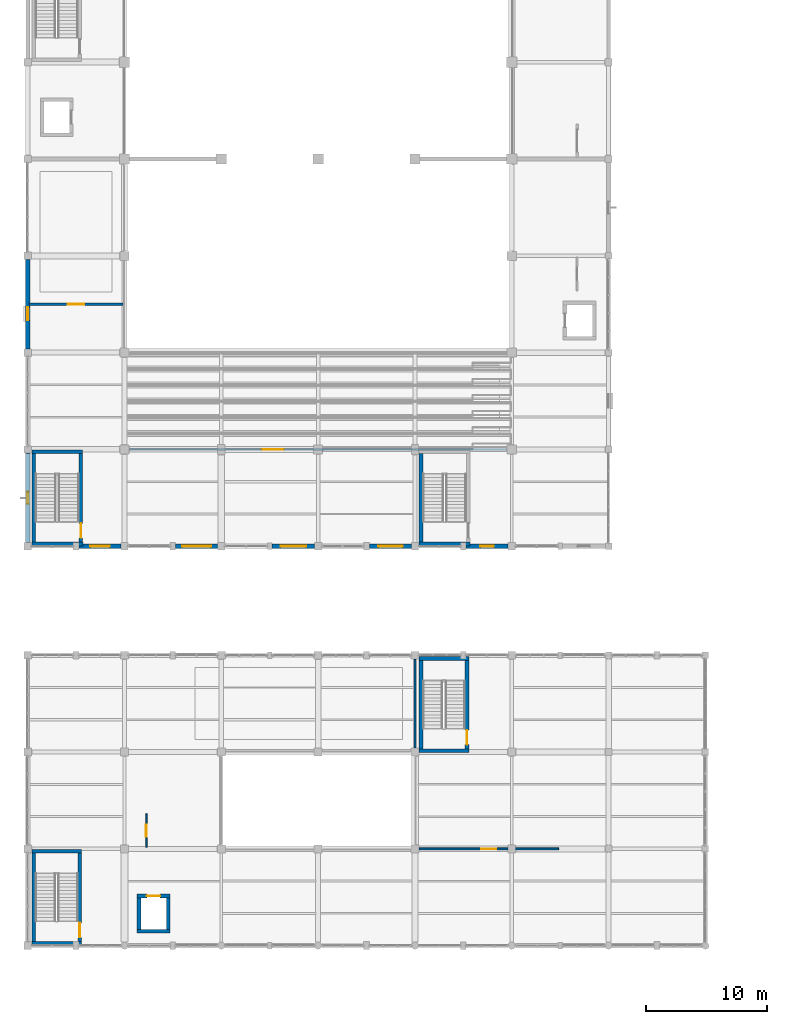
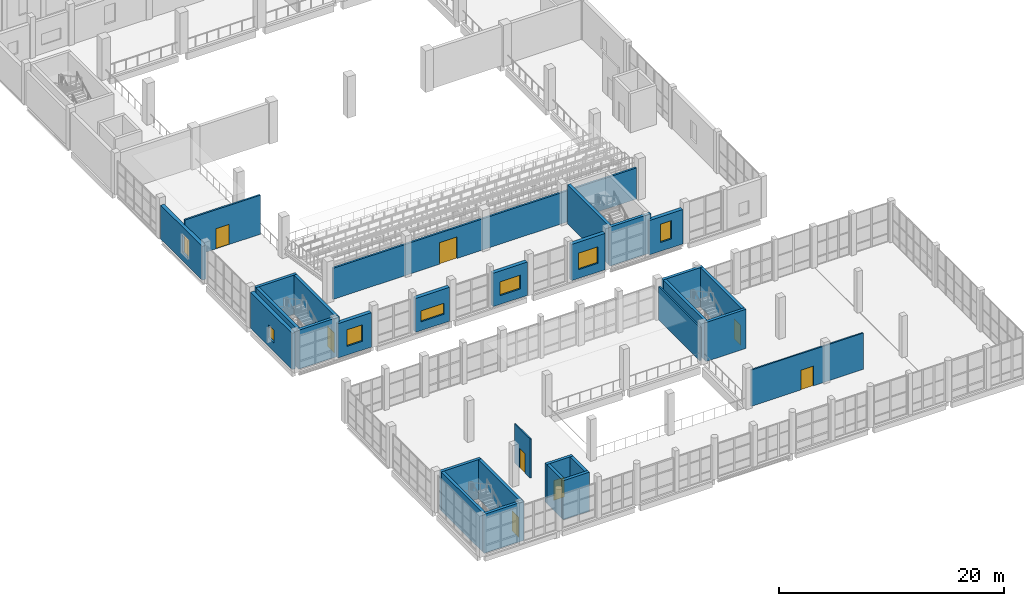
# One storey, part 140 of 183: 30 walls, 8 doors, 7 windows, 15 openings.
"""IFC4 building model written with IfcOpenShell, lengths in metres."""

from ifc_helpers import new_model, si_unit, direction, frame, frame_2d, origin, place, context, subcontext, project, spatial, rectangle, extrude, material, layer, layer_set, type_object, element, fill, save


model = new_model("IFC4")

# Units and contexts
model_context = context("Model", 3, precision=1e-05, world=origin(), true_north=direction((0.0, 1.0)))
body_context = subcontext(model_context, "Body", "Model", "MODEL_VIEW")
ifc_project = project(units=[si_unit("LENGTHUNIT", "METRE"), si_unit("AREAUNIT", "SQUARE_METRE"), si_unit("VOLUMEUNIT", "CUBIC_METRE"), si_unit("PLANEANGLEUNIT", "RADIAN"), si_unit("MASSUNIT", "GRAM", prefix="KILO")], contexts=[model_context])

# Site, building, storey
site_placement = place(None, origin())
site = spatial("IfcSite", under=ifc_project, at=site_placement, CompositionType="ELEMENT")
building_placement = place(site_placement, origin())
building = spatial("IfcBuilding", under=site, at=building_placement, Name="Luwemba Playhouse", CompositionType="ELEMENT")
storey_placement = place(building_placement, frame((0.0, 0.0, 4.800048828125)))
storey = spatial("IfcBuildingStorey", under=building, at=storey_placement, Name="L01", CompositionType="ELEMENT", Elevation=4.800048828125)

# Wall, opening, window
ifc_material_1 = material(Name="Clay facing brick obra vista masonry", Category="masonry")
ifc_layer_1 = layer(ifc_material_1, 0.3798828125)
ifc_layer_set_1 = layer_set([ifc_layer_1], Name="Clay facing brick obra vista masonry")
wall_type_1 = type_object("IfcWallType", Name="WAL-BRK-380", PredefinedType="SOLIDWALL", material=ifc_layer_set_1)
wall_1_placement = place(storey_placement, frame((4.0, 36.300048828125, 0.0), z_axis=(0.0, 0.0, 1.0), x_axis=(0.0, 1.0, 0.0)))
wall_1 = element("IfcWall", 1, at=wall_1_placement, inside=storey, type_object=wall_type_1, Name="L01 V1 exterior facade wall 0136", PredefinedType="SOLIDWALL", context=body_context, shape_type="SweptSolid", body=[
    extrude(rectangle(XDim=7.39990234375, YDim=0.3798828125, at=frame_2d((3.699951171875, 0.0))), origin(), (0.0, 0.0, 1.0), 3.93505859375),
])
opening_1_placement = place(wall_1_placement, frame((3.199951171875, 0.0, 0.949951171875)))
opening_1 = element("IfcOpeningElement", 2, at=opening_1_placement, cuts=wall_1, Name="Opening WN-13", PredefinedType="OPENING", context=body_context, shape_type="SweptSolid", body=[
    extrude(rectangle(XDim=1.0, YDim=1.39990234375, at=frame_2d((0.5, 0.699951171875))), frame((0.0, 0.199951171875, 0.0), z_axis=(0.0, -1.0, 0.0), x_axis=(1.0, 0.0, 0.0)), (0.0, 0.0, 1.0), 0.39990234375),
])
ifc_material_2 = material(Name="Solar-control double glazing in aluminium frame", Category="aluminium")
window_type_1 = type_object("IfcWindowType", Name="WIN-WN-13", PartitioningType="SINGLE_PANEL", PredefinedType="WINDOW", material=ifc_material_2)
window_1_placement = place(opening_1_placement, origin())
window_1 = element("IfcWindow", 3, at=window_1_placement, inside=storey, type_object=window_type_1, Name="L01 V1 scheduled window 0091", OverallHeight=1.39990234375, OverallWidth=1.0, PartitioningType="SINGLE_PANEL", PredefinedType="WINDOW", context=body_context, shape_type="SweptSolid", body=[
    extrude(rectangle(XDim=1.0, YDim=1.39990234375, at=frame_2d((0.5, 0.699951171875))), frame((0.0, 0.030029296875, 0.0), z_axis=(0.0, -1.0, 0.0), x_axis=(1.0, 0.0, 0.0)), (0.0, 0.0, 1.0), 0.06005859375),
])
fill(opening_1, window_1)

wall_2_placement = place(storey_placement, frame((4.0, 52.300048828125, 0.0), z_axis=(0.0, 0.0, 1.0), x_axis=(0.0, 1.0, 0.0)))
wall_2 = element("IfcWall", 4, at=wall_2_placement, inside=storey, type_object=wall_type_1, Name="L01 V1 exterior facade wall 0137", PredefinedType="SOLIDWALL", context=body_context, shape_type="SweptSolid", body=[
    extrude(rectangle(XDim=7.39990234375, YDim=0.3798828125, at=frame_2d((3.699951171875, 0.0))), origin(), (0.0, 0.0, 1.0), 3.68505859375),
])
opening_2_placement = place(wall_2_placement, frame((2.360107421875, 0.0, 0.949951171875)))
opening_2 = element("IfcOpeningElement", 5, at=opening_2_placement, cuts=wall_2, Name="Opening WN-19", PredefinedType="OPENING", context=body_context, shape_type="SweptSolid", body=[
    extrude(rectangle(XDim=1.10009765625, YDim=2.0, at=frame_2d((0.550048828125, 1.0))), frame((0.0, 0.199951171875, 0.0), z_axis=(0.0, -1.0, 0.0), x_axis=(1.0, 0.0, 0.0)), (0.0, 0.0, 1.0), 0.39990234375),
])
window_type_2 = type_object("IfcWindowType", Name="WIN-WN-19", PartitioningType="SINGLE_PANEL", PredefinedType="WINDOW", material=ifc_material_2)
window_2_placement = place(opening_2_placement, origin())
window_2 = element("IfcWindow", 6, at=window_2_placement, inside=storey, type_object=window_type_2, Name="L01 V1 scheduled window 0092", OverallHeight=2.0, OverallWidth=1.10009765625, PartitioningType="SINGLE_PANEL", PredefinedType="WINDOW", context=body_context, shape_type="SweptSolid", body=[
    extrude(rectangle(XDim=1.10009765625, YDim=2.0, at=frame_2d((0.550048828125, 1.0))), frame((0.0, 0.030029296875, 0.0), z_axis=(0.0, -1.0, 0.0), x_axis=(1.0, 0.0, 0.0)), (0.0, 0.0, 1.0), 0.06005859375),
])
fill(opening_2, window_2)

wall_3_placement = place(storey_placement, frame((43.699951171875, 36.0, 0.0), z_axis=(0.0, 0.0, 1.0), x_axis=(-1.0, 0.0, 0.0)))
wall_3 = element("IfcWall", 7, at=wall_3_placement, inside=storey, type_object=wall_type_1, Name="L01 V1 exterior facade wall 0141", PredefinedType="SOLIDWALL", context=body_context, shape_type="SweptSolid", body=[
    extrude(rectangle(XDim=3.474853515625, YDim=0.3798828125, at=frame_2d((1.7373046875, 0.0))), origin(), (0.0, 0.0, 1.0), 3.73486328125),
])
opening_3_placement = place(wall_3_placement, frame((1.1875, 0.0, 0.949951171875)))
opening_3 = element("IfcOpeningElement", 8, at=opening_3_placement, cuts=wall_3, Name="Opening WN-19", PredefinedType="OPENING", context=body_context, shape_type="SweptSolid", body=[
    extrude(rectangle(XDim=1.10009765625, YDim=2.0, at=frame_2d((0.550048828125, 1.0))), frame((0.0, 0.199951171875, 0.0), z_axis=(0.0, -1.0, 0.0), x_axis=(1.0, 0.0, 0.0)), (0.0, 0.0, 1.0), 0.39990234375),
])
window_3_placement = place(opening_3_placement, origin())
window_3 = element("IfcWindow", 9, at=window_3_placement, inside=storey, type_object=window_type_2, Name="L01 V1 scheduled window 0096", OverallHeight=2.0, OverallWidth=1.10009765625, PartitioningType="SINGLE_PANEL", PredefinedType="WINDOW", context=body_context, shape_type="SweptSolid", body=[
    extrude(rectangle(XDim=1.10009765625, YDim=2.0, at=frame_2d((0.550048828125, 1.0))), frame((0.0, 0.030029296875, 0.0), z_axis=(0.0, -1.0, 0.0), x_axis=(1.0, 0.0, 0.0)), (0.0, 0.0, 1.0), 0.06005859375),
])
fill(opening_3, window_3)

wall_4_placement = place(storey_placement, frame((35.699951171875, 36.0, 0.0), z_axis=(0.0, 0.0, 1.0), x_axis=(-1.0, 0.0, 0.0)))
wall_4 = element("IfcWall", 10, at=wall_4_placement, inside=storey, type_object=wall_type_1, Name="L01 V1 exterior facade wall 0142", PredefinedType="SOLIDWALL", context=body_context, shape_type="SweptSolid", body=[
    extrude(rectangle(XDim=3.449951171875, YDim=0.3798828125, at=frame_2d((1.72509765625, 0.0))), origin(), (0.0, 0.0, 1.0), 3.93505859375),
])
opening_4_placement = place(wall_4_placement, frame((0.72509765625, 0.0, 0.949951171875)))
opening_4 = element("IfcOpeningElement", 11, at=opening_4_placement, cuts=wall_4, Name="Opening WN-05", PredefinedType="OPENING", context=body_context, shape_type="SweptSolid", body=[
    extrude(rectangle(XDim=2.0, YDim=1.800048828125, at=frame_2d((1.0, 0.89990234375))), frame((0.0, 0.199951171875, 0.0), z_axis=(0.0, -1.0, 0.0), x_axis=(1.0, 0.0, 0.0)), (0.0, 0.0, 1.0), 0.39990234375),
])
window_type_3 = type_object("IfcWindowType", Name="WIN-WN-05", PartitioningType="TRIPLE_PANEL_VERTICAL", PredefinedType="WINDOW", material=ifc_material_2)
window_4_placement = place(opening_4_placement, origin())
window_4 = element("IfcWindow", 12, at=window_4_placement, inside=storey, type_object=window_type_3, Name="L01 V1 scheduled window 0097", OverallHeight=1.800048828125, OverallWidth=2.0, PartitioningType="TRIPLE_PANEL_VERTICAL", PredefinedType="WINDOW", context=body_context, shape_type="SweptSolid", body=[
    extrude(rectangle(XDim=2.0, YDim=1.800048828125, at=frame_2d((1.0, 0.89990234375))), frame((0.0, 0.030029296875, 0.0), z_axis=(0.0, -1.0, 0.0), x_axis=(1.0, 0.0, 0.0)), (0.0, 0.0, 1.0), 0.06005859375),
])
fill(opening_4, window_4)

wall_5_placement = place(storey_placement, frame((27.699951171875, 36.0, 0.0), z_axis=(0.0, 0.0, 1.0), x_axis=(-1.0, 0.0, 0.0)))
wall_5 = element("IfcWall", 13, at=wall_5_placement, inside=storey, type_object=wall_type_1, Name="L01 V1 exterior facade wall 0143", PredefinedType="SOLIDWALL", context=body_context, shape_type="SweptSolid", body=[
    extrude(rectangle(XDim=3.5, YDim=0.3798828125, at=frame_2d((1.75, 0.0))), origin(), (0.0, 0.0, 1.0), 3.635009765625),
])
opening_5_placement = place(wall_5_placement, frame((0.699951171875, 0.0, 0.949951171875)))
opening_5 = element("IfcOpeningElement", 14, at=opening_5_placement, cuts=wall_5, Name="Opening WN-11", PredefinedType="OPENING", context=body_context, shape_type="SweptSolid", body=[
    extrude(rectangle(XDim=2.10009765625, YDim=1.5, at=frame_2d((1.050048828125, 0.75))), frame((0.0, 0.199951171875, 0.0), z_axis=(0.0, -1.0, 0.0), x_axis=(1.0, 0.0, 0.0)), (0.0, 0.0, 1.0), 0.39990234375),
])
window_type_4 = type_object("IfcWindowType", Name="WIN-WN-11", PartitioningType="TRIPLE_PANEL_VERTICAL", PredefinedType="WINDOW", material=ifc_material_2)
window_5_placement = place(opening_5_placement, origin())
window_5 = element("IfcWindow", 15, at=window_5_placement, inside=storey, type_object=window_type_4, Name="L01 V1 scheduled window 0098", OverallHeight=1.5, OverallWidth=2.10009765625, PartitioningType="TRIPLE_PANEL_VERTICAL", PredefinedType="WINDOW", context=body_context, shape_type="SweptSolid", body=[
    extrude(rectangle(XDim=2.10009765625, YDim=1.5, at=frame_2d((1.050048828125, 0.75))), frame((0.0, 0.030029296875, 0.0), z_axis=(0.0, -1.0, 0.0), x_axis=(1.0, 0.0, 0.0)), (0.0, 0.0, 1.0), 0.06005859375),
])
fill(opening_5, window_5)

wall_6_placement = place(storey_placement, frame((19.699951171875, 36.0, 0.0), z_axis=(0.0, 0.0, 1.0), x_axis=(-1.0, 0.0, 0.0)))
wall_6 = element("IfcWall", 16, at=wall_6_placement, inside=storey, type_object=wall_type_1, Name="L01 V1 exterior facade wall 0144", PredefinedType="SOLIDWALL", context=body_context, shape_type="SweptSolid", body=[
    extrude(rectangle(XDim=3.474853515625, YDim=0.3798828125, at=frame_2d((1.7373046875, 0.0))), origin(), (0.0, 0.0, 1.0), 3.68505859375),
])
opening_6_placement = place(wall_6_placement, frame((0.53759765625, 0.0, 0.949951171875)))
opening_6 = element("IfcOpeningElement", 17, at=opening_6_placement, cuts=wall_6, Name="Opening WN-17", PredefinedType="OPENING", context=body_context, shape_type="SweptSolid", body=[
    extrude(rectangle(XDim=2.39990234375, YDim=1.199951171875, at=frame_2d((1.199951171875, 0.60009765625))), frame((0.0, 0.199951171875, 0.0), z_axis=(0.0, -1.0, 0.0), x_axis=(1.0, 0.0, 0.0)), (0.0, 0.0, 1.0), 0.39990234375),
])
window_type_5 = type_object("IfcWindowType", Name="WIN-WN-17", PartitioningType="TRIPLE_PANEL_HORIZONTAL", PredefinedType="WINDOW", material=ifc_material_2)
window_6_placement = place(opening_6_placement, origin())
window_6 = element("IfcWindow", 18, at=window_6_placement, inside=storey, type_object=window_type_5, Name="L01 V1 scheduled window 0099", OverallHeight=1.199951171875, OverallWidth=2.39990234375, PartitioningType="TRIPLE_PANEL_HORIZONTAL", PredefinedType="WINDOW", context=body_context, shape_type="SweptSolid", body=[
    extrude(rectangle(XDim=2.39990234375, YDim=1.199951171875, at=frame_2d((1.199951171875, 0.60009765625))), frame((0.0, 0.030029296875, 0.0), z_axis=(0.0, -1.0, 0.0), x_axis=(1.0, 0.0, 0.0)), (0.0, 0.0, 1.0), 0.06005859375),
])
fill(opening_6, window_6)

wall_7_placement = place(storey_placement, frame((11.699951171875, 36.0, 0.0), z_axis=(0.0, 0.0, 1.0), x_axis=(-1.0, 0.0, 0.0)))
wall_7 = element("IfcWall", 19, at=wall_7_placement, inside=storey, type_object=wall_type_1, Name="L01 V1 exterior facade wall 0145", PredefinedType="SOLIDWALL", context=body_context, shape_type="SweptSolid", body=[
    extrude(rectangle(XDim=3.449951171875, YDim=0.3798828125, at=frame_2d((1.72509765625, 0.0))), origin(), (0.0, 0.0, 1.0), 3.73486328125),
])
opening_7_placement = place(wall_7_placement, frame((0.925048828125, 0.0, 0.949951171875)))
opening_7 = element("IfcOpeningElement", 20, at=opening_7_placement, cuts=wall_7, Name="Opening WN-03", PredefinedType="OPENING", context=body_context, shape_type="SweptSolid", body=[
    extrude(rectangle(XDim=1.60009765625, YDim=1.800048828125, at=frame_2d((0.800048828125, 0.89990234375))), frame((0.0, 0.199951171875, 0.0), z_axis=(0.0, -1.0, 0.0), x_axis=(1.0, 0.0, 0.0)), (0.0, 0.0, 1.0), 0.39990234375),
])
window_type_6 = type_object("IfcWindowType", Name="WIN-WN-03", PartitioningType="DOUBLE_PANEL_VERTICAL", PredefinedType="WINDOW", material=ifc_material_2)
window_7_placement = place(opening_7_placement, origin())
window_7 = element("IfcWindow", 21, at=window_7_placement, inside=storey, type_object=window_type_6, Name="L01 V1 scheduled window 0100", OverallHeight=1.800048828125, OverallWidth=1.60009765625, PartitioningType="DOUBLE_PANEL_VERTICAL", PredefinedType="WINDOW", context=body_context, shape_type="SweptSolid", body=[
    extrude(rectangle(XDim=1.60009765625, YDim=1.800048828125, at=frame_2d((0.800048828125, 0.89990234375))), frame((0.0, 0.030029296875, 0.0), z_axis=(0.0, -1.0, 0.0), x_axis=(1.0, 0.0, 0.0)), (0.0, 0.0, 1.0), 0.06005859375),
])
fill(opening_7, window_7)

# Walls
ifc_material_3 = material(Name="Concrete C40/50", Category="concrete")
ifc_layer_2 = layer(ifc_material_3, 0.300048828125)
ifc_layer_set_2 = layer_set([ifc_layer_2], Name="Concrete C40/50")
wall_type_2 = type_object("IfcWallType", Name="WAL-CORE-300", PredefinedType="SHEAR", material=ifc_layer_set_2)
for number, where, z_axis, x_axis, name in (
    (22, (4.35009765625, 36.18994140625, 0.0), (0.0, 0.0, 1.0), (1.0, 0.0, 0.0), "L01 ST-01 stair core wall S"),
    (23, (8.550048828125, 43.81005859375, 0.0), (0.0, 0.0, 1.0), (-1.0, 0.0, 0.0), "L01 ST-01 stair core wall N"),
):
    element("IfcWall", number, at=place(storey_placement, frame(where, z_axis=z_axis, x_axis=x_axis)), inside=storey, type_object=wall_type_2, Name=name, PredefinedType="SHEAR", context=body_context, shape_type="SweptSolid", body=[
        extrude(rectangle(XDim=4.199951171875, YDim=0.300048828125, at=frame_2d((2.10009765625, 0.0))), origin(), (0.0, 0.0, 1.0), 4.25),
    ])
wall_8_placement = place(storey_placement, frame((4.5, 36.340087890625, 0.0), z_axis=(0.0, 0.0, 1.0), x_axis=(0.0, 1.0, 0.0)))
element("IfcWall", 24, at=wall_8_placement, inside=storey, type_object=wall_type_2, Name="L01 ST-01 stair core wall W", PredefinedType="SHEAR", context=body_context, shape_type="SweptSolid", body=[
    extrude(rectangle(XDim=7.31982421875, YDim=0.300048828125, at=frame_2d((3.659912109375, 0.0))), origin(), (0.0, 0.0, 1.0), 4.25),
])

# Wall, opening, door
wall_9_placement = place(storey_placement, frame((8.39990234375, 36.340087890625, 0.0), z_axis=(0.0, 0.0, 1.0), x_axis=(0.0, 1.0, 0.0)))
wall_9 = element("IfcWall", 25, at=wall_9_placement, inside=storey, type_object=wall_type_2, Name="L01 ST-01 stair core wall E", PredefinedType="SHEAR", context=body_context, shape_type="SweptSolid", body=[
    extrude(rectangle(XDim=7.31982421875, YDim=0.300048828125, at=frame_2d((3.659912109375, 0.0))), origin(), (0.0, 0.0, 1.0), 4.25),
])
opening_8_placement = place(wall_9_placement, frame((0.35009765625, 0.0, 0.0)))
opening_8 = element("IfcOpeningElement", 26, at=opening_8_placement, cuts=wall_9, Name="Opening D-STAIR3", PredefinedType="OPENING", context=body_context, shape_type="SweptSolid", body=[
    extrude(rectangle(XDim=1.199951171875, YDim=2.14990234375, at=frame_2d((0.60009765625, 1.074951171875))), frame((0.0, 0.159912109375, 0.0), z_axis=(0.0, -1.0, 0.0), x_axis=(1.0, 0.0, 0.0)), (0.0, 0.0, 1.0), 0.320068359375),
])
ifc_material_4 = material(Name="Hardwood acoustic fire door leaf", Category="wood")
door_type_1 = type_object("IfcDoorType", Name="DR-STAIR-120", OperationType="NOTDEFINED", PredefinedType="DOOR", material=ifc_material_4)
door_1_placement = place(opening_8_placement, origin())
door_1 = element("IfcDoor", 27, at=door_1_placement, inside=storey, type_object=door_type_1, Name="L01 ST-01 protected stair entry door", OperationType="SINGLE_SWING_RIGHT", OverallHeight=2.14990234375, OverallWidth=1.199951171875, PredefinedType="DOOR", context=body_context, shape_type="SweptSolid", body=[
    extrude(rectangle(XDim=1.199951171875, YDim=2.14990234375, at=frame_2d((0.60009765625, 1.074951171875))), frame((0.0, 0.02490234375, 0.0), z_axis=(0.0, -1.0, 0.0), x_axis=(1.0, 0.0, 0.0)), (0.0, 0.0, 1.0), 0.050048828125),
])
fill(opening_8, door_1)

# Walls
wall_10_placement = place(storey_placement, frame((36.35009765625, 36.18994140625, 0.0), z_axis=(0.0, 0.0, 1.0), x_axis=(1.0, 0.0, 0.0)))
element("IfcWall", 28, at=wall_10_placement, inside=storey, type_object=wall_type_2, Name="L01 ST-02 stair core wall S", PredefinedType="SHEAR", context=body_context, shape_type="SweptSolid", body=[
    extrude(rectangle(XDim=4.199951171875, YDim=0.300048828125, at=frame_2d((2.10009765625, 0.0))), origin(), (0.0, 0.0, 1.0), 4.25),
])
wall_11_placement = place(storey_placement, frame((36.5, 36.340087890625, 0.0), z_axis=(0.0, 0.0, 1.0), x_axis=(0.0, 1.0, 0.0)))
element("IfcWall", 29, at=wall_11_placement, inside=storey, type_object=wall_type_2, Name="L01 ST-02 stair core wall W", PredefinedType="SHEAR", context=body_context, shape_type="SweptSolid", body=[
    extrude(rectangle(XDim=7.31982421875, YDim=0.300048828125, at=frame_2d((3.659912109375, 0.0))), origin(), (0.0, 0.0, 1.0), 4.25),
])
for number, where, z_axis, x_axis, name in (
    (30, (4.35009765625, 3.18994140625, 0.0), (0.0, 0.0, 1.0), (1.0, 0.0, 0.0), "L01 ST-04 stair core wall S"),
    (31, (8.449951171875, 10.81005859375, 0.0), (0.0, 0.0, 1.0), (-1.0, 0.0, 0.0), "L01 ST-04 stair core wall N"),
):
    element("IfcWall", number, at=place(storey_placement, frame(where, z_axis=z_axis, x_axis=x_axis)), inside=storey, type_object=wall_type_2, Name=name, PredefinedType="SHEAR", context=body_context, shape_type="SweptSolid", body=[
        extrude(rectangle(XDim=4.099853515625, YDim=0.300048828125, at=frame_2d((2.0498046875, 0.0))), origin(), (0.0, 0.0, 1.0), 4.25),
    ])
wall_12_placement = place(storey_placement, frame((4.5, 3.340087890625, 0.0), z_axis=(0.0, 0.0, 1.0), x_axis=(0.0, 1.0, 0.0)))
element("IfcWall", 32, at=wall_12_placement, inside=storey, type_object=wall_type_2, Name="L01 ST-04 stair core wall W", PredefinedType="SHEAR", context=body_context, shape_type="SweptSolid", body=[
    extrude(rectangle(XDim=7.31982421875, YDim=0.300048828125, at=frame_2d((3.659912109375, 0.0))), origin(), (0.0, 0.0, 1.0), 4.25),
])

# Wall, opening, door
wall_13_placement = place(storey_placement, frame((8.300048828125, 3.340087890625, 0.0), z_axis=(0.0, 0.0, 1.0), x_axis=(0.0, 1.0, 0.0)))
wall_13 = element("IfcWall", 33, at=wall_13_placement, inside=storey, type_object=wall_type_2, Name="L01 ST-04 stair core wall E", PredefinedType="SHEAR", context=body_context, shape_type="SweptSolid", body=[
    extrude(rectangle(XDim=7.31982421875, YDim=0.300048828125, at=frame_2d((3.659912109375, 0.0))), origin(), (0.0, 0.0, 1.0), 4.25),
])
opening_9_placement = place(wall_13_placement, frame((0.35009765625, 0.0, 0.0)))
opening_9 = element("IfcOpeningElement", 34, at=opening_9_placement, cuts=wall_13, Name="Opening D-STAIR3", PredefinedType="OPENING", context=body_context, shape_type="SweptSolid", body=[
    extrude(rectangle(XDim=1.199951171875, YDim=2.14990234375, at=frame_2d((0.60009765625, 1.074951171875))), frame((0.0, 0.159912109375, 0.0), z_axis=(0.0, -1.0, 0.0), x_axis=(1.0, 0.0, 0.0)), (0.0, 0.0, 1.0), 0.320068359375),
])
door_2_placement = place(opening_9_placement, origin())
door_2 = element("IfcDoor", 35, at=door_2_placement, inside=storey, type_object=door_type_1, Name="L01 ST-04 protected stair entry door", OperationType="SINGLE_SWING_LEFT", OverallHeight=2.14990234375, OverallWidth=1.199951171875, PredefinedType="DOOR", context=body_context, shape_type="SweptSolid", body=[
    extrude(rectangle(XDim=1.199951171875, YDim=2.14990234375, at=frame_2d((0.60009765625, 1.074951171875))), frame((0.0, 0.02490234375, 0.0), z_axis=(0.0, -1.0, 0.0), x_axis=(1.0, 0.0, 0.0)), (0.0, 0.0, 1.0), 0.050048828125),
])
fill(opening_9, door_2)

# Walls
for number, where, z_axis, x_axis, name in (
    (36, (36.35009765625, 19.110107421875, 0.0), (0.0, 0.0, 1.0), (1.0, 0.0, 0.0), "L01 ST-13 stair core wall S"),
    (37, (40.449951171875, 26.72998046875, 0.0), (0.0, 0.0, 1.0), (-1.0, 0.0, 0.0), "L01 ST-13 stair core wall N"),
):
    element("IfcWall", number, at=place(storey_placement, frame(where, z_axis=z_axis, x_axis=x_axis)), inside=storey, type_object=wall_type_2, Name=name, PredefinedType="SHEAR", context=body_context, shape_type="SweptSolid", body=[
        extrude(rectangle(XDim=4.099853515625, YDim=0.300048828125, at=frame_2d((2.0498046875, 0.0))), origin(), (0.0, 0.0, 1.0), 4.25),
    ])
wall_14_placement = place(storey_placement, frame((36.5, 19.260009765625, 0.0), z_axis=(0.0, 0.0, 1.0), x_axis=(0.0, 1.0, 0.0)))
element("IfcWall", 38, at=wall_14_placement, inside=storey, type_object=wall_type_2, Name="L01 ST-13 stair core wall W", PredefinedType="SHEAR", context=body_context, shape_type="SweptSolid", body=[
    extrude(rectangle(XDim=7.320068359375, YDim=0.300048828125, at=frame_2d((3.66015625, 0.0))), origin(), (0.0, 0.0, 1.0), 4.25),
])

# Wall, opening, door
wall_15_placement = place(storey_placement, frame((40.300048828125, 19.260009765625, 0.0), z_axis=(0.0, 0.0, 1.0), x_axis=(0.0, 1.0, 0.0)))
wall_15 = element("IfcWall", 39, at=wall_15_placement, inside=storey, type_object=wall_type_2, Name="L01 ST-13 stair core wall E", PredefinedType="SHEAR", context=body_context, shape_type="SweptSolid", body=[
    extrude(rectangle(XDim=7.320068359375, YDim=0.300048828125, at=frame_2d((3.66015625, 0.0))), origin(), (0.0, 0.0, 1.0), 4.25),
])
opening_10_placement = place(wall_15_placement, frame((0.35009765625, 0.0, 0.0)))
opening_10 = element("IfcOpeningElement", 40, at=opening_10_placement, cuts=wall_15, Name="Opening D-STAIR3", PredefinedType="OPENING", context=body_context, shape_type="SweptSolid", body=[
    extrude(rectangle(XDim=1.199951171875, YDim=2.14990234375, at=frame_2d((0.60009765625, 1.074951171875))), frame((0.0, 0.159912109375, 0.0), z_axis=(0.0, -1.0, 0.0), x_axis=(1.0, 0.0, 0.0)), (0.0, 0.0, 1.0), 0.320068359375),
])
door_3_placement = place(opening_10_placement, origin())
door_3 = element("IfcDoor", 41, at=door_3_placement, inside=storey, type_object=door_type_1, Name="L01 ST-13 protected stair entry door", OperationType="SINGLE_SWING_RIGHT", OverallHeight=2.14990234375, OverallWidth=1.199951171875, PredefinedType="DOOR", context=body_context, shape_type="SweptSolid", body=[
    extrude(rectangle(XDim=1.199951171875, YDim=2.14990234375, at=frame_2d((0.60009765625, 1.074951171875))), frame((0.0, 0.02490234375, 0.0), z_axis=(0.0, -1.0, 0.0), x_axis=(1.0, 0.0, 0.0)), (0.0, 0.0, 1.0), 0.050048828125),
])
fill(opening_10, door_3)

# Wall
wall_16_placement = place(storey_placement, frame((13.050048828125, 4.199951171875, 0.0), z_axis=(0.0, 0.0, 1.0), x_axis=(1.0, 0.0, 0.0)))
element("IfcWall", 42, at=wall_16_placement, inside=storey, type_object=wall_type_2, Name="L01 Lift LF-P4 shaft wall S", PredefinedType="SHEAR", context=body_context, shape_type="SweptSolid", body=[
    extrude(rectangle(XDim=2.699951171875, YDim=0.300048828125, at=frame_2d((1.35009765625, 0.0))), origin(), (0.0, 0.0, 1.0), 4.25),
])

# Wall, opening, door
wall_17_placement = place(storey_placement, frame((15.75, 7.10009765625, 0.0), z_axis=(0.0, 0.0, 1.0), x_axis=(-1.0, 0.0, 0.0)))
wall_17 = element("IfcWall", 43, at=wall_17_placement, inside=storey, type_object=wall_type_2, Name="L01 Lift LF-P4 shaft wall N", PredefinedType="SHEAR", context=body_context, shape_type="SweptSolid", body=[
    extrude(rectangle(XDim=2.699951171875, YDim=0.300048828125, at=frame_2d((1.35009765625, 0.0))), origin(), (0.0, 0.0, 1.0), 4.25),
])
opening_11_placement = place(wall_17_placement, frame((0.800048828125, 0.0, 0.0)))
opening_11 = element("IfcOpeningElement", 44, at=opening_11_placement, cuts=wall_17, Name="Opening LD-01", PredefinedType="OPENING", context=body_context, shape_type="SweptSolid", body=[
    extrude(rectangle(XDim=1.10009765625, YDim=2.14990234375, at=frame_2d((0.550048828125, 1.074951171875))), frame((0.0, 0.159912109375, 0.0), z_axis=(0.0, -1.0, 0.0), x_axis=(1.0, 0.0, 0.0)), (0.0, 0.0, 1.0), 0.320068359375),
])
ifc_material_5 = material(Name="Stainless steel lift landing doors", Category="steel")
door_type_2 = type_object("IfcDoorType", Name="DR-LIFT-110", OperationType="NOTDEFINED", PredefinedType="DOOR", material=ifc_material_5)
door_4_placement = place(opening_11_placement, origin())
door_4 = element("IfcDoor", 45, at=door_4_placement, inside=storey, type_object=door_type_2, Name="L01 Lift LF-P4 landing door", OperationType="DOUBLE_DOOR_SLIDING", OverallHeight=2.14990234375, OverallWidth=1.10009765625, PredefinedType="DOOR", context=body_context, shape_type="SweptSolid", body=[
    extrude(rectangle(XDim=1.10009765625, YDim=2.14990234375, at=frame_2d((0.550048828125, 1.074951171875))), frame((0.0, 0.02490234375, 0.0), z_axis=(0.0, -1.0, 0.0), x_axis=(1.0, 0.0, 0.0)), (0.0, 0.0, 1.0), 0.050048828125),
])
fill(opening_11, door_4)

# Walls
for number, where, z_axis, x_axis, name in (
    (46, (13.199951171875, 4.35009765625, 0.0), (0.0, 0.0, 1.0), (0.0, 1.0, 0.0), "L01 Lift LF-P4 shaft wall W"),
    (47, (15.60009765625, 6.949951171875, 0.0), (0.0, 0.0, 1.0), (0.0, -1.0, 0.0), "L01 Lift LF-P4 shaft wall E"),
):
    element("IfcWall", number, at=place(storey_placement, frame(where, z_axis=z_axis, x_axis=x_axis)), inside=storey, type_object=wall_type_2, Name=name, PredefinedType="SHEAR", context=body_context, shape_type="SweptSolid", body=[
        extrude(rectangle(XDim=2.599853515625, YDim=0.300048828125, at=frame_2d((1.2998046875, 0.0))), origin(), (0.0, 0.0, 1.0), 4.25),
    ])

# Wall, opening, door
ifc_material_6 = material(Name="Moisture-resistant sanitary partition", Category="gypsum")
ifc_layer_3 = layer(ifc_material_6, 0.1201171875)
ifc_layer_set_3 = layer_set([ifc_layer_3], Name="Moisture-resistant sanitary partition")
wall_type_3 = type_object("IfcWallType", Name="WAL-INT-120", PredefinedType="PARTITIONING", material=ifc_layer_set_3)
wall_18_placement = place(storey_placement, frame((13.800048828125, 11.1201171875, 0.0), z_axis=(0.0, 0.0, 1.0), x_axis=(0.0, 1.0, 0.0)))
wall_18 = element("IfcWall", 48, at=wall_18_placement, inside=storey, type_object=wall_type_3, Name="L01 V5W interior partition 0146", PredefinedType="PARTITIONING", context=body_context, shape_type="SweptSolid", body=[
    extrude(rectangle(XDim=2.759765625, YDim=0.1201171875, at=frame_2d((1.3798828125, 0.0))), origin(), (0.0, 0.0, 1.0), 4.25),
])
opening_12_placement = place(wall_18_placement, frame((0.8798828125, 0.0, 0.0)))
opening_12 = element("IfcOpeningElement", 49, at=opening_12_placement, cuts=wall_18, Name="Opening D-AWC", PredefinedType="OPENING", context=body_context, shape_type="SweptSolid", body=[
    extrude(rectangle(XDim=1.0, YDim=2.10009765625, at=frame_2d((0.5, 1.050048828125))), frame((0.0, 0.070068359375, 0.0), z_axis=(0.0, -1.0, 0.0), x_axis=(1.0, 0.0, 0.0)), (0.0, 0.0, 1.0), 0.14013671875),
])
ifc_material_7 = material(Name="Accessible WC outward-assisted timber door", Category="wood")
door_type_3 = type_object("IfcDoorType", Name="DR-AWC-100", OperationType="NOTDEFINED", PredefinedType="DOOR", material=ifc_material_7)
door_5_placement = place(opening_12_placement, origin())
door_5 = element("IfcDoor", 50, at=door_5_placement, inside=storey, type_object=door_type_3, Name="L01 First Gallery Public Toilets to First Gallery Accessible WC door", OperationType="SINGLE_SWING_RIGHT", OverallHeight=2.10009765625, OverallWidth=1.0, PredefinedType="DOOR", context=body_context, shape_type="SweptSolid", body=[
    extrude(rectangle(XDim=1.0, YDim=2.10009765625, at=frame_2d((0.5, 1.050048828125))), frame((0.0, 0.02490234375, 0.0), z_axis=(0.0, -1.0, 0.0), x_axis=(1.0, 0.0, 0.0)), (0.0, 0.0, 1.0), 0.050048828125),
])
fill(opening_12, door_5)

ifc_material_8 = material(Name="Acoustic gypsum stud partition", Category="gypsum")
ifc_layer_4 = layer(ifc_material_8, 0.14990234375)
ifc_layer_set_4 = layer_set([ifc_layer_4], Name="Acoustic gypsum stud partition")
wall_type_4 = type_object("IfcWallType", Name="WAL-INT-150", PredefinedType="PARTITIONING", material=ifc_layer_set_4)
wall_19_placement = place(storey_placement, frame((36.344970703125, 11.0, 0.0), z_axis=(0.0, 0.0, 1.0), x_axis=(1.0, 0.0, 0.0)))
wall_19 = element("IfcWall", 51, at=wall_19_placement, inside=storey, type_object=wall_type_4, Name="L01 V5W interior partition 0144", PredefinedType="PARTITIONING", context=body_context, shape_type="SweptSolid", body=[
    extrude(rectangle(XDim=11.534912109375, YDim=0.14990234375, at=frame_2d((5.767578125, 0.0))), origin(), (0.0, 0.0, 1.0), 3.945068359375),
])
opening_13_placement = place(wall_19_placement, frame((5.142578125, 0.0, 0.0)))
opening_13 = element("IfcOpeningElement", 52, at=opening_13_placement, cuts=wall_19, Name="Opening D-IN1", PredefinedType="OPENING", context=body_context, shape_type="SweptSolid", body=[
    extrude(rectangle(XDim=1.25, YDim=2.14990234375, at=frame_2d((0.625, 1.074951171875))), frame((0.0, 0.0849609375, 0.0), z_axis=(0.0, -1.0, 0.0), x_axis=(1.0, 0.0, 0.0)), (0.0, 0.0, 1.0), 0.169921875),
])
ifc_material_9 = material(Name="Solid hardwood interior door", Category="wood")
door_type_4 = type_object("IfcDoorType", Name="DR-INT-125", OperationType="NOTDEFINED", PredefinedType="DOOR", material=ifc_material_9)
door_6_placement = place(opening_13_placement, origin())
door_6 = element("IfcDoor", 53, at=door_6_placement, inside=storey, type_object=door_type_4, Name="L01 First Gallery Promenade Foyer to Grand Interval Bar and Refreshment Hall door", OperationType="SINGLE_SWING_RIGHT", OverallHeight=2.14990234375, OverallWidth=1.25, PredefinedType="DOOR", context=body_context, shape_type="SweptSolid", body=[
    extrude(rectangle(XDim=1.25, YDim=2.14990234375, at=frame_2d((0.625, 1.074951171875))), frame((0.0, 0.02490234375, 0.0), z_axis=(0.0, -1.0, 0.0), x_axis=(1.0, 0.0, 0.0)), (0.0, 0.0, 1.0), 0.050048828125),
])
fill(opening_13, door_6)

# Wall
wall_20_placement = place(storey_placement, frame((36.0, 19.344970703125, 0.0), z_axis=(0.0, 0.0, 1.0), x_axis=(0.0, 1.0, 0.0)))
element("IfcWall", 54, at=wall_20_placement, inside=storey, type_object=wall_type_4, Name="L01 V5W interior partition 0145", PredefinedType="PARTITIONING", context=body_context, shape_type="SweptSolid", body=[
    extrude(rectangle(XDim=7.31005859375, YDim=0.14990234375, at=frame_2d((3.655029296875, 0.0))), origin(), (0.0, 0.0, 1.0), 3.635009765625),
])

# Wall, opening, door
ifc_material_10 = material(Name="Double-stud acoustic gypsum partition", Category="gypsum")
ifc_layer_5 = layer(ifc_material_10, 0.179931640625)
ifc_layer_set_5 = layer_set([ifc_layer_5], Name="Double-stud acoustic gypsum partition")
wall_type_5 = type_object("IfcWallType", Name="WAL-INT-180", PredefinedType="PARTITIONING", material=ifc_layer_set_5)
wall_21_placement = place(storey_placement, frame((4.1201171875, 56.0, 0.0), z_axis=(0.0, 0.0, 1.0), x_axis=(1.0, 0.0, 0.0)))
wall_21 = element("IfcWall", 55, at=wall_21_placement, inside=storey, type_object=wall_type_5, Name="L01 V1 interior partition 0121", PredefinedType="PARTITIONING", context=body_context, shape_type="SweptSolid", body=[
    extrude(rectangle(XDim=7.759765625, YDim=0.179931640625, at=frame_2d((3.8798828125, 0.0))), origin(), (0.0, 0.0, 1.0), 4.25),
])
opening_14_placement = place(wall_21_placement, frame((3.205078125, 0.0, 0.0)))
opening_14 = element("IfcOpeningElement", 56, at=opening_14_placement, cuts=wall_21, Name="Opening D-STU1", PredefinedType="OPENING", context=body_context, shape_type="SweptSolid", body=[
    extrude(rectangle(XDim=1.35009765625, YDim=2.199951171875, at=frame_2d((0.675048828125, 1.10009765625))), frame((0.0, 0.099853515625, 0.0), z_axis=(0.0, -1.0, 0.0), x_axis=(1.0, 0.0, 0.0)), (0.0, 0.0, 1.0), 0.199951171875),
])
ifc_material_11 = material(Name="Acoustic studio door", Category="wood")
door_type_5 = type_object("IfcDoorType", Name="DR-STU-135", OperationType="NOTDEFINED", PredefinedType="DOOR", material=ifc_material_11)
door_7_placement = place(opening_14_placement, origin())
door_7 = element("IfcDoor", 57, at=door_7_placement, inside=storey, type_object=door_type_5, Name="L01 Dress Circle West Vomitory Corridor to Main Theatre Lighting and Sound Control Suite door", OperationType="SINGLE_SWING_RIGHT", OverallHeight=2.199951171875, OverallWidth=1.35009765625, PredefinedType="DOOR", context=body_context, shape_type="SweptSolid", body=[
    extrude(rectangle(XDim=1.35009765625, YDim=2.199951171875, at=frame_2d((0.675048828125, 1.10009765625))), frame((0.0, 0.02490234375, 0.0), z_axis=(0.0, -1.0, 0.0), x_axis=(1.0, 0.0, 0.0)), (0.0, 0.0, 1.0), 0.050048828125),
])
fill(opening_14, door_7)

ifc_material_12 = material(Name="Clay acoustic masonry blockwork", Category="masonry")
ifc_layer_6 = layer(ifc_material_12, 0.199951171875)
ifc_layer_set_6 = layer_set([ifc_layer_6], Name="Clay acoustic masonry blockwork")
wall_type_6 = type_object("IfcWallType", Name="WAL-INT-200", PredefinedType="PARTITIONING", material=ifc_layer_set_6)
wall_22_placement = place(storey_placement, frame((12.39501953125, 44.0, 0.0), z_axis=(0.0, 0.0, 1.0), x_axis=(1.0, 0.0, 0.0)))
wall_22 = element("IfcWall", 58, at=wall_22_placement, inside=storey, type_object=wall_type_6, Name="L01 V1 interior partition 0120", PredefinedType="PARTITIONING", context=body_context, shape_type="SweptSolid", body=[
    extrude(rectangle(XDim=31.2099609375, YDim=0.199951171875, at=frame_2d((15.60498046875, 0.0))), origin(), (0.0, 0.0, 1.0), 3.385009765625),
])
opening_15_placement = place(wall_22_placement, frame((10.959716796875, 0.0, 0.0)))
opening_15 = element("IfcOpeningElement", 59, at=opening_15_placement, cuts=wall_22, Name="Opening D-AUD1", PredefinedType="OPENING", context=body_context, shape_type="SweptSolid", body=[
    extrude(rectangle(XDim=1.800048828125, YDim=2.35009765625, at=frame_2d((0.89990234375, 1.175048828125))), frame((0.0, 0.10986328125, 0.0), z_axis=(0.0, -1.0, 0.0), x_axis=(1.0, 0.0, 0.0)), (0.0, 0.0, 1.0), 0.219970703125),
])
ifc_material_13 = material(Name="Double acoustic timber theatre door", Category="wood")
door_type_6 = type_object("IfcDoorType", Name="DR-AUD-180", OperationType="NOTDEFINED", PredefinedType="DOOR", material=ifc_material_13)
door_8_placement = place(opening_15_placement, origin())
door_8 = element("IfcDoor", 60, at=door_8_placement, inside=storey, type_object=door_type_6, Name="L01 Dress Circle Seating Tier to Dress Circle Salon Foyer door", OperationType="DOUBLE_DOOR_SINGLE_SWING", OverallHeight=2.35009765625, OverallWidth=1.800048828125, PredefinedType="DOOR", context=body_context, shape_type="SweptSolid", body=[
    extrude(rectangle(XDim=1.800048828125, YDim=2.35009765625, at=frame_2d((0.89990234375, 1.175048828125))), frame((0.0, 0.02490234375, 0.0), z_axis=(0.0, -1.0, 0.0), x_axis=(1.0, 0.0, 0.0)), (0.0, 0.0, 1.0), 0.050048828125),
])
fill(opening_15, door_8)

save(model, "model.ifc")
